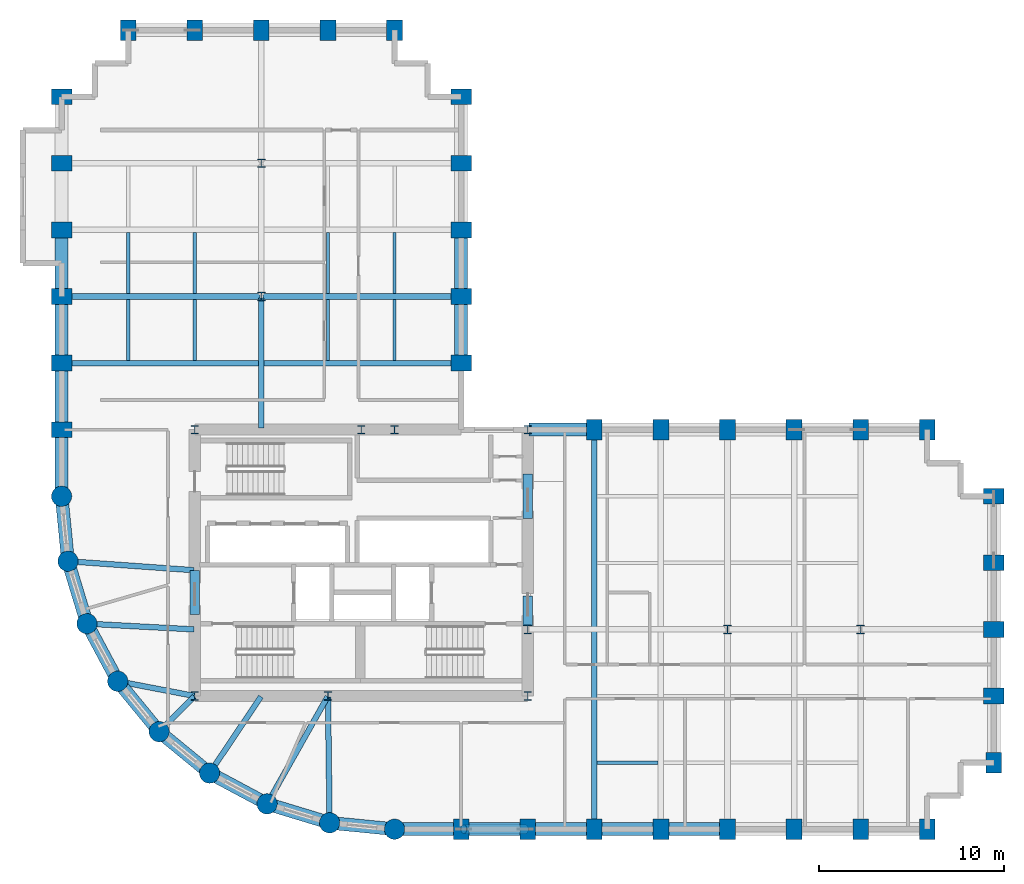
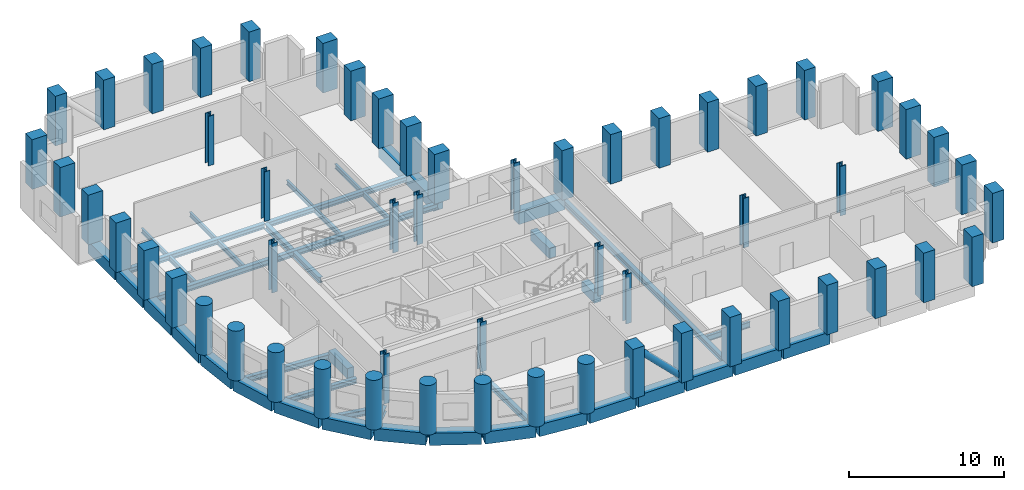
# One storey, part 1 of 7: 56 columns, 44 beams, 1 member.
"""IFC4 building model written with IfcOpenShell, lengths in metres."""

from ifc_helpers import new_model, si_unit, direction, frame, origin, origin_2d, place, context, subcontext, project, spatial, rectangle, circle, hollow_circle, i_section, extrude, material, material_profile, profile_set, type_object, element, save


model = new_model("IFC4")

# Units and contexts
model_context = context("Model", 3, precision=1e-05, world=origin(), true_north=direction((0.0, 1.0)))
body_context = subcontext(model_context, "Body", "Model", "MODEL_VIEW")
ifc_project = project(units=[si_unit("LENGTHUNIT", "METRE"), si_unit("AREAUNIT", "SQUARE_METRE"), si_unit("VOLUMEUNIT", "CUBIC_METRE"), si_unit("PLANEANGLEUNIT", "RADIAN"), si_unit("MASSUNIT", "GRAM", prefix="KILO")], contexts=[model_context])

# Site, building, storey
site_placement = place(None, origin())
site = spatial("IfcSite", under=ifc_project, at=site_placement, CompositionType="ELEMENT")
building_placement = place(site_placement, origin())
building = spatial("IfcBuilding", under=site, at=building_placement, Name="Solnavia Interchange Tower", CompositionType="ELEMENT")
storey_placement = place(building_placement, frame((0.0, 0.0, 91.800048828125)))
storey = spatial("IfcBuildingStorey", under=building, at=storey_placement, Name="L22", CompositionType="ELEMENT", Elevation=91.800048828125)

# Columns
ifc_material_1 = material(Name="Concrete C50/60", Category="concrete")
ifc_material_profile_1 = material_profile(ifc_material_1, rectangle(XDim=0.85009765625, YDim=1.10009765625, at=origin_2d()), Name="RC 1100x850")
ifc_profile_set_1 = profile_set([ifc_material_profile_1], Name="Concrete C50/60")
column_type_1 = type_object("IfcColumnType", Name="Col-RC-1100x850", PredefinedType="COLUMN", material=ifc_profile_set_1)
for number, where, z_axis, x_axis, name in (
    (1, (7.199951171875, 25.199951171875, 0.0), (0.0, 0.0, 1.0), (0.0, 1.0, 0.0), "COL-L22-02 Tower perim y column"),
    (2, (7.199951171875, 28.800048828125, 0.0), (0.0, 0.0, 1.0), (0.0, 1.0, 0.0), "COL-L22-03 Tower perim y column"),
    (3, (7.199951171875, 32.39990234375, 0.0), (0.0, 0.0, 1.0), (0.0, 1.0, 0.0), "COL-L22-04 Tower perim y column"),
    (4, (7.199951171875, 36.0, 0.0), (0.0, 0.0, 1.0), (0.0, 1.0, 0.0), "COL-L22-05 Tower perim y column"),
    (5, (7.199951171875, 39.60009765625, 0.0), (0.0, 0.0, 1.0), (0.0, 1.0, 0.0), "COL-L22-06 Tower perim y column"),
    (6, (7.199951171875, 43.199951171875, 0.0), (0.0, 0.0, 1.0), (0.0, 1.0, 0.0), "COL-L22-07 Tower corner column"),
    (7, (10.800048828125, 46.800048828125, 0.0), (0.0, 0.0, 1.0), (1.0, 0.0, 0.0), "COL-L22-11 Tower corner column"),
    (8, (14.39990234375, 46.800048828125, 0.0), (0.0, 0.0, 1.0), (1.0, 0.0, 0.0), "COL-L22-15 Tower perim x column"),
    (9, (18.0, 46.800048828125, 0.0), (0.0, 0.0, 1.0), (1.0, 0.0, 0.0), "COL-L22-19 Tower perim x column"),
    (10, (21.60009765625, 46.800048828125, 0.0), (0.0, 0.0, 1.0), (1.0, 0.0, 0.0), "COL-L22-22 Tower perim x column"),
    (11, (25.199951171875, 46.800048828125, 0.0), (0.0, 0.0, 1.0), (1.0, 0.0, 0.0), "COL-L22-27 Tower corner column"),
    (12, (28.800048828125, 3.60009765625, 0.0), (0.0, 0.0, 1.0), (1.0, 0.0, 0.0), "COL-L22-28 Tower perim x column"),
    (13, (28.800048828125, 28.800048828125, 0.0), (0.0, 0.0, 1.0), (0.0, 1.0, 0.0), "COL-L22-29 Tower perim y column"),
    (14, (28.800048828125, 32.39990234375, 0.0), (0.0, 0.0, 1.0), (0.0, 1.0, 0.0), "COL-L22-30 Tower perim y column"),
    (15, (28.800048828125, 36.0, 0.0), (0.0, 0.0, 1.0), (0.0, 1.0, 0.0), "COL-L22-31 Tower perim y column"),
    (16, (28.800048828125, 39.60009765625, 0.0), (0.0, 0.0, 1.0), (0.0, 1.0, 0.0), "COL-L22-32 Tower perim y column"),
    (17, (28.800048828125, 43.199951171875, 0.0), (0.0, 0.0, 1.0), (0.0, 1.0, 0.0), "COL-L22-33 Tower corner column"),
    (18, (32.39990234375, 3.60009765625, 0.0), (0.0, 0.0, 1.0), (1.0, 0.0, 0.0), "COL-L22-34 Tower perim x column"),
    (19, (36.0, 3.60009765625, 0.0), (0.0, 0.0, 1.0), (1.0, 0.0, 0.0), "COL-L22-38 Tower perim x column"),
    (20, (36.0, 25.199951171875, 0.0), (0.0, 0.0, 1.0), (1.0, 0.0, 0.0), "COL-L22-39 Tower perim x column"),
    (21, (39.60009765625, 3.60009765625, 0.0), (0.0, 0.0, 1.0), (1.0, 0.0, 0.0), "COL-L22-40 Tower perim x column"),
    (22, (39.60009765625, 25.199951171875, 0.0), (0.0, 0.0, 1.0), (1.0, 0.0, 0.0), "COL-L22-41 Tower perim x column"),
    (23, (43.199951171875, 3.60009765625, 0.0), (0.0, 0.0, 1.0), (1.0, 0.0, 0.0), "COL-L22-42 Tower perim x column"),
    (24, (43.199951171875, 25.199951171875, 0.0), (0.0, 0.0, 1.0), (1.0, 0.0, 0.0), "COL-L22-44 Tower perim x column"),
    (25, (46.800048828125, 3.60009765625, 0.0), (0.0, 0.0, 1.0), (1.0, 0.0, 0.0), "COL-L22-45 Tower perim x column"),
    (26, (46.800048828125, 25.199951171875, 0.0), (0.0, 0.0, 1.0), (1.0, 0.0, 0.0), "COL-L22-46 Tower perim x column"),
    (27, (50.39990234375, 3.60009765625, 0.0), (0.0, 0.0, 1.0), (1.0, 0.0, 0.0), "COL-L22-47 Tower perim x column"),
    (28, (50.39990234375, 25.199951171875, 0.0), (0.0, 0.0, 1.0), (1.0, 0.0, 0.0), "COL-L22-49 Tower perim x column"),
    (29, (54.0, 3.60009765625, 0.0), (0.0, 0.0, 1.0), (1.0, 0.0, 0.0), "COL-L22-50 Tower corner column"),
    (30, (54.0, 25.199951171875, 0.0), (0.0, 0.0, 1.0), (1.0, 0.0, 0.0), "COL-L22-51 Tower corner column"),
    (31, (57.60009765625, 7.199951171875, 0.0), (0.0, 0.0, 1.0), (1.0, 0.0, 0.0), "COL-L22-52 Tower corner column"),
    (32, (57.60009765625, 10.800048828125, 0.0), (0.0, 0.0, 1.0), (0.0, 1.0, 0.0), "COL-L22-53 Tower perim y column"),
    (33, (57.60009765625, 14.39990234375, 0.0), (0.0, 0.0, 1.0), (0.0, 1.0, 0.0), "COL-L22-54 Tower perim y column"),
    (34, (57.60009765625, 18.0, 0.0), (0.0, 0.0, 1.0), (0.0, 1.0, 0.0), "COL-L22-55 Tower perim y column"),
    (35, (57.60009765625, 21.60009765625, 0.0), (0.0, 0.0, 1.0), (0.0, 1.0, 0.0), "COL-L22-56 Tower corner column"),
):
    element("IfcColumn", number, at=place(storey_placement, frame(where, z_axis=z_axis, x_axis=x_axis)), inside=storey, type_object=column_type_1, Name=name, PredefinedType="COLUMN", context=body_context, shape_type="SweptSolid", body=[
        extrude(rectangle(XDim=0.85009765625, YDim=1.10009765625, at=origin_2d()), origin(), (0.0, 0.0, 1.0), 3.89990234375),
    ])
ifc_material_2 = material(Name="Concrete C60/75", Category="concrete")
ifc_material_profile_2 = material_profile(ifc_material_2, circle(Radius=0.550048828125, at=origin_2d()), Name="RC D1100")
ifc_profile_set_2 = profile_set([ifc_material_profile_2], Name="Concrete C60/75")
column_type_2 = type_object("IfcColumnType", Name="Col-RC-D1100", PredefinedType="COLUMN", material=ifc_profile_set_2)
for number, where, z_axis, x_axis, name in (
    (36, (7.199951171875, 21.60009765625, 0.0), (0.0, 0.0, 1.0), (1.0, 0.0, 0.0), "COL-L22-01 Tower drum column"),
    (37, (7.5458984375, 18.087890625, 0.0), (0.0, 0.0, 1.0), (1.0, 0.0, 0.0), "COL-L22-08 Tower drum column"),
    (38, (8.570068359375, 14.7119140625, 0.0), (0.0, 0.0, 1.0), (1.0, 0.0, 0.0), "COL-L22-09 Tower drum column"),
    (39, (10.23388671875, 11.60009765625, 0.0), (0.0, 0.0, 1.0), (1.0, 0.0, 0.0), "COL-L22-10 Tower drum column"),
    (40, (12.471923828125, 8.8720703125, 0.0), (0.0, 0.0, 1.0), (1.0, 0.0, 0.0), "COL-L22-12 Tower drum column"),
    (41, (15.199951171875, 6.634033203125, 0.0), (0.0, 0.0, 1.0), (1.0, 0.0, 0.0), "COL-L22-16 Tower drum column"),
    (42, (18.31201171875, 4.969970703125, 0.0), (0.0, 0.0, 1.0), (1.0, 0.0, 0.0), "COL-L22-20 Tower drum column"),
    (43, (21.68798828125, 3.946044921875, 0.0), (0.0, 0.0, 1.0), (1.0, 0.0, 0.0), "COL-L22-23 Tower drum column"),
    (44, (25.199951171875, 3.60009765625, 0.0), (0.0, 0.0, 1.0), (1.0, 0.0, 0.0), "COL-L22-25 Tower drum column"),
):
    element("IfcColumn", number, at=place(storey_placement, frame(where, z_axis=z_axis, x_axis=x_axis)), inside=storey, type_object=column_type_2, Name=name, PredefinedType="COLUMN", context=body_context, shape_type="SweptSolid", body=[
        extrude(circle(Radius=0.550048828125, at=origin_2d()), origin(), (0.0, 0.0, 1.0), 3.89990234375),
    ])
ifc_material_3 = material(Name="Steel S355", Category="steel")
ifc_material_profile_3 = material_profile(ifc_material_3, i_section(OverallWidth=0.424072265625, OverallDepth=0.467041015625, WebThickness=0.032958984375, FlangeThickness=0.053466796875, FilletRadius=0.014892578125, at=origin_2d()), Name="HD 400x509")
ifc_profile_set_3 = profile_set([ifc_material_profile_3], Name="Steel S355")
column_type_3 = type_object("IfcColumnType", Name="Col-Steel-HD400x509", PredefinedType="COLUMN", material=ifc_profile_set_3)
for number, where, z_axis, x_axis, name in (
    (45, (14.39990234375, 10.800048828125, 0.0), (0.0, 0.0, 1.0), (1.0, 0.0, 0.0), "COL-L22-13 Tower interior column"),
    (46, (14.39990234375, 25.199951171875, 0.0), (0.0, 0.0, 1.0), (1.0, 0.0, 0.0), "COL-L22-14 Tower interior column"),
    (47, (18.0, 32.39990234375, 0.0), (0.0, 0.0, 1.0), (1.0, 0.0, 0.0), "COL-L22-17 Tower interior column"),
    (48, (18.0, 39.60009765625, 0.0), (0.0, 0.0, 1.0), (1.0, 0.0, 0.0), "COL-L22-18 Tower interior column"),
    (49, (21.60009765625, 10.800048828125, 0.0), (0.0, 0.0, 1.0), (1.0, 0.0, 0.0), "COL-L22-21 Tower interior column"),
    (50, (23.39990234375, 25.199951171875, 0.0), (0.0, 0.0, 1.0), (1.0, 0.0, 0.0), "COL-L22-24 Tower interior column"),
    (51, (25.199951171875, 25.199951171875, 0.0), (0.0, 0.0, 1.0), (1.0, 0.0, 0.0), "COL-L22-26 Tower interior column"),
    (52, (32.39990234375, 10.800048828125, 0.0), (0.0, 0.0, 1.0), (1.0, 0.0, 0.0), "COL-L22-35 Tower interior column"),
    (53, (32.39990234375, 14.39990234375, 0.0), (0.0, 0.0, 1.0), (1.0, 0.0, 0.0), "COL-L22-36 Tower interior column"),
    (54, (32.39990234375, 25.199951171875, 0.0), (0.0, 0.0, 1.0), (1.0, 0.0, 0.0), "COL-L22-37 Tower interior column"),
    (55, (43.199951171875, 14.39990234375, 0.0), (0.0, 0.0, 1.0), (1.0, 0.0, 0.0), "COL-L22-43 Tower interior column"),
    (56, (50.39990234375, 14.39990234375, 0.0), (0.0, 0.0, 1.0), (1.0, 0.0, 0.0), "COL-L22-48 Tower interior column"),
):
    element("IfcColumn", number, at=place(storey_placement, frame(where, z_axis=z_axis, x_axis=x_axis)), inside=storey, type_object=column_type_3, Name=name, PredefinedType="COLUMN", context=body_context, shape_type="SweptSolid", body=[
        extrude(i_section(OverallWidth=0.424072265625, OverallDepth=0.467041015625, WebThickness=0.032958984375, FlangeThickness=0.053466796875, FilletRadius=0.014892578125, at=origin_2d()), origin(), (0.0, 0.0, 1.0), 3.89990234375),
    ])

# Beams
ifc_material_profile_4 = material_profile(ifc_material_1, rectangle(XDim=0.5, YDim=0.800048828125, at=origin_2d()), Name="RC 500x800")
ifc_profile_set_4 = profile_set([ifc_material_profile_4], Name="Concrete C50/60")
beam_type_1 = type_object("IfcBeamType", Name="Beam-Coupling-RC500x800", PredefinedType="LINTEL", material=ifc_profile_set_4)
beam_1_placement = place(storey_placement, frame((14.39990234375, 15.199951171875, -0.400146484375), z_axis=(0.0, 1.0, 0.0), x_axis=(-1.0, 0.0, 0.0)))
element("IfcBeam", 57, at=beam_1_placement, inside=storey, type_object=beam_type_1, Name="CPB-L22-W1 Core coupling lintel beam", PredefinedType="LINTEL", context=body_context, shape_type="SweptSolid", body=[
    extrude(rectangle(XDim=0.5, YDim=0.800048828125, at=origin_2d()), origin(), (0.0, 0.0, 1.0), 2.400146484375),
])
beam_2_placement = place(storey_placement, frame((32.39990234375, 14.60009765625, -0.400146484375), z_axis=(0.0, 1.0, 0.0), x_axis=(-1.0, 0.0, 0.0)))
element("IfcBeam", 58, at=beam_2_placement, inside=storey, type_object=beam_type_1, Name="CPB-L22-E1 Core coupling lintel beam", PredefinedType="LINTEL", context=body_context, shape_type="SweptSolid", body=[
    extrude(rectangle(XDim=0.5, YDim=0.800048828125, at=origin_2d()), origin(), (0.0, 0.0, 1.0), 1.599853515625),
])
beam_3_placement = place(storey_placement, frame((32.39990234375, 20.39990234375, -0.400146484375), z_axis=(0.0, 1.0, 0.0), x_axis=(-1.0, 0.0, 0.0)))
element("IfcBeam", 59, at=beam_3_placement, inside=storey, type_object=beam_type_1, Name="CPB-L22-E2 Core coupling lintel beam", PredefinedType="LINTEL", context=body_context, shape_type="SweptSolid", body=[
    extrude(rectangle(XDim=0.5, YDim=0.800048828125, at=origin_2d()), origin(), (0.0, 0.0, 1.0), 2.400146484375),
])
ifc_material_4 = material(Name="Steel S460", Category="steel")
ifc_material_profile_5 = material_profile(ifc_material_4, i_section(OverallWidth=0.300048828125, OverallDepth=0.449951171875, WebThickness=0.013916015625, FlangeThickness=0.02587890625, FilletRadius=0.027099609375, at=origin_2d()), Name="HEB 450")
ifc_profile_set_5 = profile_set([ifc_material_profile_5], Name="Steel S460")
beam_type_2 = type_object("IfcBeamType", Name="Beam-Girder-HEB450", PredefinedType="BEAM", material=ifc_profile_set_5)
beam_4_placement = place(storey_placement, frame((36.0, 3.679931640625, -0.47509765625), z_axis=(0.0, 1.0, 0.0), x_axis=(-1.0, 0.0, 0.0)))
element("IfcBeam", 60, at=beam_4_placement, inside=storey, type_object=beam_type_2, Name="GRD-L22-EW04 East wing primary floor girder", PredefinedType="BEAM", context=body_context, shape_type="SweptSolid", body=[
    extrude(i_section(OverallWidth=0.300048828125, OverallDepth=0.449951171875, WebThickness=0.013916015625, FlangeThickness=0.02587890625, FilletRadius=0.027099609375, at=origin_2d()), origin(), (0.0, 0.0, 1.0), 21.440185546875),
])
beam_5_placement = place(storey_placement, frame((18.0, 25.280029296875, -0.47509765625), z_axis=(0.0, 1.0, 0.0), x_axis=(-1.0, 0.0, 0.0)))
element("IfcBeam", 61, at=beam_5_placement, inside=storey, type_object=beam_type_2, Name="GRD-L22-NS11 North wing spine girder", PredefinedType="BEAM", context=body_context, shape_type="SweptSolid", body=[
    extrude(i_section(OverallWidth=0.300048828125, OverallDepth=0.449951171875, WebThickness=0.013916015625, FlangeThickness=0.02587890625, FilletRadius=0.027099609375, at=origin_2d()), origin(), (0.0, 0.0, 1.0), 7.0400390625),
])
beam_6_placement = place(storey_placement, frame((10.3125, 11.5849609375, -0.47509765625), z_axis=(0.982057527796, -0.188581579428, 0.0), x_axis=(0.188581579428, 0.982057527796, 0.0)))
element("IfcBeam", 62, at=beam_6_placement, inside=storey, type_object=beam_type_2, Name="GRD-L22-DR22 Drum radial floor girder", PredefinedType="BEAM", context=body_context, shape_type="SweptSolid", body=[
    extrude(i_section(OverallWidth=0.300048828125, OverallDepth=0.449951171875, WebThickness=0.013916015625, FlangeThickness=0.02587890625, FilletRadius=0.027099609375, at=origin_2d()), origin(), (0.0, 0.0, 1.0), 4.1220703125),
])
beam_7_placement = place(storey_placement, frame((18.351318359375, 5.039794921875, -0.47509765625), z_axis=(0.491243158486, 0.871022479182, 0.0), x_axis=(-0.871022479182, 0.491243158486, 0.0)))
element("IfcBeam", 63, at=beam_7_placement, inside=storey, type_object=beam_type_2, Name="GRD-L22-DR25 Drum radial floor girder", PredefinedType="BEAM", context=body_context, shape_type="SweptSolid", body=[
    extrude(i_section(OverallWidth=0.300048828125, OverallDepth=0.449951171875, WebThickness=0.013916015625, FlangeThickness=0.02587890625, FilletRadius=0.027099609375, at=origin_2d()), origin(), (0.0, 0.0, 1.0), 6.5732421875),
])
ifc_material_profile_6 = material_profile(ifc_material_3, i_section(OverallWidth=0.169921875, OverallDepth=0.360107421875, WebThickness=0.008056640625, FlangeThickness=0.0126953125, FilletRadius=0.01806640625, at=origin_2d()), Name="IPE 360")
ifc_profile_set_6 = profile_set([ifc_material_profile_6], Name="Steel S355")
beam_type_3 = type_object("IfcBeamType", Name="Beam-Joist-IPE360", PredefinedType="JOIST", material=ifc_profile_set_6)
for number, where, z_axis, x_axis, name in (
    (64, (10.800048828125, 32.550048828125, -0.429931640625), (0.0, 1.0, 0.0), (-1.0, 0.0, 0.0), "JST-L22-N18 North wing secondary joist"),
    (65, (14.39990234375, 32.550048828125, -0.429931640625), (0.0, 1.0, 0.0), (-1.0, 0.0, 0.0), "JST-L22-N21 North wing secondary joist"),
    (66, (21.60009765625, 32.550048828125, -0.429931640625), (0.0, 1.0, 0.0), (-1.0, 0.0, 0.0), "JST-L22-N24 North wing secondary joist"),
    (67, (25.199951171875, 32.550048828125, -0.429931640625), (0.0, 1.0, 0.0), (-1.0, 0.0, 0.0), "JST-L22-N27 North wing secondary joist"),
):
    element("IfcBeam", number, at=place(storey_placement, frame(where, z_axis=z_axis, x_axis=x_axis)), inside=storey, type_object=beam_type_3, Name=name, PredefinedType="JOIST", context=body_context, shape_type="SweptSolid", body=[
        extrude(i_section(OverallWidth=0.169921875, OverallDepth=0.360107421875, WebThickness=0.008056640625, FlangeThickness=0.0126953125, FilletRadius=0.01806640625, at=origin_2d()), origin(), (0.0, 0.0, 1.0), 3.300048828125),
    ])
ifc_material_profile_7 = material_profile(ifc_material_3, i_section(OverallWidth=0.179931640625, OverallDepth=0.39990234375, WebThickness=0.008544921875, FlangeThickness=0.013427734375, FilletRadius=0.02099609375, at=origin_2d()), Name="IPE 400")
ifc_profile_set_7 = profile_set([ifc_material_profile_7], Name="Steel S355")
beam_type_4 = type_object("IfcBeamType", Name="Beam-Joist-IPE400", PredefinedType="JOIST", material=ifc_profile_set_7)
for number, where, z_axis, x_axis, name in (
    (68, (10.800048828125, 28.949951171875, -0.449951171875), (0.0, 1.0, 0.0), (-1.0, 0.0, 0.0), "JST-L22-N17 North wing secondary joist"),
    (69, (14.39990234375, 28.949951171875, -0.449951171875), (0.0, 1.0, 0.0), (-1.0, 0.0, 0.0), "JST-L22-N20 North wing secondary joist"),
    (70, (21.60009765625, 28.949951171875, -0.449951171875), (0.0, 1.0, 0.0), (-1.0, 0.0, 0.0), "JST-L22-N23 North wing secondary joist"),
    (71, (25.199951171875, 28.949951171875, -0.449951171875), (0.0, 1.0, 0.0), (-1.0, 0.0, 0.0), "JST-L22-N26 North wing secondary joist"),
):
    element("IfcBeam", number, at=place(storey_placement, frame(where, z_axis=z_axis, x_axis=x_axis)), inside=storey, type_object=beam_type_4, Name=name, PredefinedType="JOIST", context=body_context, shape_type="SweptSolid", body=[
        extrude(i_section(OverallWidth=0.179931640625, OverallDepth=0.39990234375, WebThickness=0.008544921875, FlangeThickness=0.013427734375, FilletRadius=0.02099609375, at=origin_2d()), origin(), (0.0, 0.0, 1.0), 3.300048828125),
    ])
ifc_material_profile_8 = material_profile(ifc_material_3, i_section(OverallWidth=0.18994140625, OverallDepth=0.449951171875, WebThickness=0.009521484375, FlangeThickness=0.0146484375, FilletRadius=0.02099609375, at=origin_2d()), Name="IPE 450")
ifc_profile_set_8 = profile_set([ifc_material_profile_8], Name="Steel S355")
beam_type_5 = type_object("IfcBeamType", Name="Beam-Joist-IPE450", PredefinedType="JOIST", material=ifc_profile_set_8)
beam_8_placement = place(storey_placement, frame((36.14990234375, 7.199951171875, -0.47509765625), z_axis=(1.0, 0.0, 0.0), x_axis=(0.0, 1.0, 0.0)))
element("IfcBeam", 72, at=beam_8_placement, inside=storey, type_object=beam_type_5, Name="JST-L22-E01 East wing secondary joist", PredefinedType="JOIST", context=body_context, shape_type="SweptSolid", body=[
    extrude(i_section(OverallWidth=0.18994140625, OverallDepth=0.449951171875, WebThickness=0.009521484375, FlangeThickness=0.0146484375, FilletRadius=0.02099609375, at=origin_2d()), origin(), (0.0, 0.0, 1.0), 3.300048828125),
])
ifc_material_profile_9 = material_profile(ifc_material_3, i_section(OverallWidth=0.300048828125, OverallDepth=0.389892578125, WebThickness=0.010986328125, FlangeThickness=0.01904296875, FilletRadius=0.027099609375, at=origin_2d()), Name="HEA 400")
ifc_profile_set_9 = profile_set([ifc_material_profile_9], Name="Steel S355")
beam_type_6 = type_object("IfcBeamType", Name="Beam-Primary-HEA400", PredefinedType="BEAM", material=ifc_profile_set_9)
for number, where, z_axis, x_axis, name in (
    (73, (7.280029296875, 32.39990234375, -0.445068359375), (1.0, 0.0, 0.0), (0.0, 1.0, 0.0), "GRD-L22-NW15 North wing primary floor girder"),
    (74, (18.080078125, 32.39990234375, -0.445068359375), (1.0, 0.0, 0.0), (0.0, 1.0, 0.0), "GRD-L22-NW16 North wing primary floor girder"),
):
    element("IfcBeam", number, at=place(storey_placement, frame(where, z_axis=z_axis, x_axis=x_axis)), inside=storey, type_object=beam_type_6, Name=name, PredefinedType="BEAM", context=body_context, shape_type="SweptSolid", body=[
        extrude(i_section(OverallWidth=0.300048828125, OverallDepth=0.389892578125, WebThickness=0.010986328125, FlangeThickness=0.01904296875, FilletRadius=0.027099609375, at=origin_2d()), origin(), (0.0, 0.0, 1.0), 10.639892578125),
    ])
beam_9_placement = place(storey_placement, frame((8.64990234375, 14.707763671875, -0.445068359375), z_axis=(0.998570371303, -0.053452909696, 0.0), x_axis=(0.053452909696, 0.998570371303, 0.0)))
element("IfcBeam", 75, at=beam_9_placement, inside=storey, type_object=beam_type_6, Name="GRD-L22-DR21 Drum radial floor girder", PredefinedType="BEAM", context=body_context, shape_type="SweptSolid", body=[
    extrude(i_section(OverallWidth=0.300048828125, OverallDepth=0.389892578125, WebThickness=0.010986328125, FlangeThickness=0.01904296875, FilletRadius=0.027099609375, at=origin_2d()), origin(), (0.0, 0.0, 1.0), 5.71826171875),
])
beam_10_placement = place(storey_placement, frame((15.24462890625, 6.700439453125, -0.445068359375), z_axis=(0.557835474219, 0.829951555033, 0.0), x_axis=(-0.829951555033, 0.557835474219, 0.0)))
element("IfcBeam", 76, at=beam_10_placement, inside=storey, type_object=beam_type_6, Name="GRD-L22-DR24 Drum radial floor girder", PredefinedType="BEAM", context=body_context, shape_type="SweptSolid", body=[
    extrude(i_section(OverallWidth=0.300048828125, OverallDepth=0.389892578125, WebThickness=0.010986328125, FlangeThickness=0.01904296875, FilletRadius=0.027099609375, at=origin_2d()), origin(), (0.0, 0.0, 1.0), 4.899658203125),
])
ifc_material_profile_10 = material_profile(ifc_material_3, i_section(OverallWidth=0.300048828125, OverallDepth=0.43994140625, WebThickness=0.011474609375, FlangeThickness=0.02099609375, FilletRadius=0.027099609375, at=origin_2d()), Name="HEA 450")
ifc_profile_set_10 = profile_set([ifc_material_profile_10], Name="Steel S355")
beam_type_7 = type_object("IfcBeamType", Name="Beam-Primary-HEA450", PredefinedType="BEAM", material=ifc_profile_set_10)
beam_11_placement = place(storey_placement, frame((7.280029296875, 28.800048828125, -0.469970703125), z_axis=(1.0, 0.0, 0.0), x_axis=(0.0, 1.0, 0.0)))
element("IfcBeam", 77, at=beam_11_placement, inside=storey, type_object=beam_type_7, Name="GRD-L22-NW14 North wing primary floor girder", PredefinedType="BEAM", context=body_context, shape_type="SweptSolid", body=[
    extrude(i_section(OverallWidth=0.300048828125, OverallDepth=0.43994140625, WebThickness=0.011474609375, FlangeThickness=0.02099609375, FilletRadius=0.027099609375, at=origin_2d()), origin(), (0.0, 0.0, 1.0), 21.43994140625),
])
beam_12_placement = place(storey_placement, frame((7.625732421875, 18.082275390625, -0.469970703125), z_axis=(0.99747482749, -0.071020902015, 0.0), x_axis=(0.071020902015, 0.99747482749, 0.0)))
element("IfcBeam", 78, at=beam_12_placement, inside=storey, type_object=beam_type_7, Name="GRD-L22-DR20 Drum radial floor girder", PredefinedType="BEAM", context=body_context, shape_type="SweptSolid", body=[
    extrude(i_section(OverallWidth=0.300048828125, OverallDepth=0.43994140625, WebThickness=0.011474609375, FlangeThickness=0.02099609375, FilletRadius=0.027099609375, at=origin_2d()), origin(), (0.0, 0.0, 1.0), 6.75146484375),
])
beam_13_placement = place(storey_placement, frame((12.528564453125, 8.9287109375, -0.469970703125), z_axis=(0.707106781187, 0.707106781187, 0.0), x_axis=(-0.707106781187, 0.707106781187, 0.0)))
element("IfcBeam", 79, at=beam_13_placement, inside=storey, type_object=beam_type_7, Name="GRD-L22-DR23 Drum radial floor girder", PredefinedType="BEAM", context=body_context, shape_type="SweptSolid", body=[
    extrude(i_section(OverallWidth=0.300048828125, OverallDepth=0.43994140625, WebThickness=0.011474609375, FlangeThickness=0.02099609375, FilletRadius=0.027099609375, at=origin_2d()), origin(), (0.0, 0.0, 1.0), 2.6064453125),
])
beam_14_placement = place(storey_placement, frame((21.68701171875, 4.02587890625, -0.469970703125), z_axis=(-0.01283293513, 0.999917654498, 0.0), x_axis=(-0.999917654498, -0.01283293513, 0.0)))
element("IfcBeam", 80, at=beam_14_placement, inside=storey, type_object=beam_type_7, Name="GRD-L22-DR26 Drum radial floor girder", PredefinedType="BEAM", context=body_context, shape_type="SweptSolid", body=[
    extrude(i_section(OverallWidth=0.300048828125, OverallDepth=0.43994140625, WebThickness=0.011474609375, FlangeThickness=0.02099609375, FilletRadius=0.027099609375, at=origin_2d()), origin(), (0.0, 0.0, 1.0), 6.734619140625),
])
ifc_material_profile_11 = material_profile(ifc_material_1, rectangle(XDim=0.699951171875, YDim=0.949951171875, at=origin_2d()), Name="RC 700x950")
ifc_profile_set_11 = profile_set([ifc_material_profile_11], Name="Concrete C50/60")
beam_type_8 = type_object("IfcBeamType", Name="Beam-Spandrel-RC700x950", PredefinedType="SPANDREL", material=ifc_profile_set_11)
beam_15_placement = place(storey_placement, frame((7.207763671875, 21.5205078125, -0.47509765625), z_axis=(0.098040038117, -0.995182471171, 0.0), x_axis=(0.995182471171, 0.098040038117, 0.0)))
element("IfcBeam", 81, at=beam_15_placement, inside=storey, type_object=beam_type_8, Name="SPB-L22-01 Framed-tube perimeter spandrel beam", PredefinedType="SPANDREL", context=body_context, shape_type="SweptSolid", body=[
    extrude(rectangle(XDim=0.699951171875, YDim=0.949951171875, at=origin_2d()), origin(), (0.0, 0.0, 1.0), 3.369140625),
])
beam_16_placement = place(storey_placement, frame((7.569091796875, 18.011474609375, -0.47509765625), z_axis=(0.290319223646, -0.956929855518, 0.0), x_axis=(0.956929855518, 0.290319223646, 0.0)))
element("IfcBeam", 82, at=beam_16_placement, inside=storey, type_object=beam_type_8, Name="SPB-L22-02 Framed-tube perimeter spandrel beam", PredefinedType="SPANDREL", context=body_context, shape_type="SweptSolid", body=[
    extrude(rectangle(XDim=0.699951171875, YDim=0.949951171875, at=origin_2d()), origin(), (0.0, 0.0, 1.0), 3.367919921875),
])
beam_17_placement = place(storey_placement, frame((8.607666015625, 14.6416015625, -0.47509765625), z_axis=(0.471509422952, -0.881861023102, 0.0), x_axis=(0.881861023102, 0.471509422952, 0.0)))
element("IfcBeam", 83, at=beam_17_placement, inside=storey, type_object=beam_type_8, Name="SPB-L22-03 Framed-tube perimeter spandrel beam", PredefinedType="SPANDREL", context=body_context, shape_type="SweptSolid", body=[
    extrude(rectangle(XDim=0.699951171875, YDim=0.949951171875, at=origin_2d()), origin(), (0.0, 0.0, 1.0), 3.369140625),
])
for number, where, z_axis, x_axis, name in (
    (84, (10.28466796875, 11.5380859375, -0.47509765625), (0.634298841675, -0.773087950656, 0.0), (0.773087950656, 0.634298841675, 0.0), "SPB-L22-04 Framed-tube perimeter spandrel beam"),
    (85, (12.53369140625, 8.8212890625, -0.47509765625), (0.773152644452, -0.634219984214, 0.0), (0.634219984214, 0.773152644452, 0.0), "SPB-L22-05 Framed-tube perimeter spandrel beam"),
):
    element("IfcBeam", number, at=place(storey_placement, frame(where, z_axis=z_axis, x_axis=x_axis)), inside=storey, type_object=beam_type_8, Name=name, PredefinedType="SPANDREL", context=body_context, shape_type="SweptSolid", body=[
        extrude(rectangle(XDim=0.699951171875, YDim=0.949951171875, at=origin_2d()), origin(), (0.0, 0.0, 1.0), 3.36865234375),
    ])
beam_18_placement = place(storey_placement, frame((15.2705078125, 6.59619140625, -0.47509765625), z_axis=(0.881875044348, -0.47148319817, 0.0), x_axis=(0.47148319817, 0.881875044348, 0.0)))
element("IfcBeam", 86, at=beam_18_placement, inside=storey, type_object=beam_type_8, Name="SPB-L22-06 Framed-tube perimeter spandrel beam", PredefinedType="SPANDREL", context=body_context, shape_type="SweptSolid", body=[
    extrude(rectangle(XDim=0.699951171875, YDim=0.949951171875, at=origin_2d()), origin(), (0.0, 0.0, 1.0), 3.368896484375),
])
beam_19_placement = place(storey_placement, frame((18.388671875, 4.94677734375, -0.47509765625), z_axis=(0.956943884494, -0.290272978297, 0.0), x_axis=(0.290272978297, 0.956943884494, 0.0)))
element("IfcBeam", 87, at=beam_19_placement, inside=storey, type_object=beam_type_8, Name="SPB-L22-07 Framed-tube perimeter spandrel beam", PredefinedType="SPANDREL", context=body_context, shape_type="SweptSolid", body=[
    extrude(rectangle(XDim=0.699951171875, YDim=0.949951171875, at=origin_2d()), origin(), (0.0, 0.0, 1.0), 3.36767578125),
])
beam_20_placement = place(storey_placement, frame((21.767578125, 3.938232421875, -0.47509765625), z_axis=(0.995181774609, -0.098047108501, 0.0), x_axis=(0.098047108501, 0.995181774609, 0.0)))
element("IfcBeam", 88, at=beam_20_placement, inside=storey, type_object=beam_type_8, Name="SPB-L22-08 Framed-tube perimeter spandrel beam", PredefinedType="SPANDREL", context=body_context, shape_type="SweptSolid", body=[
    extrude(rectangle(XDim=0.699951171875, YDim=0.949951171875, at=origin_2d()), origin(), (0.0, 0.0, 1.0), 3.368896484375),
])
beam_21_placement = place(storey_placement, frame((25.280029296875, 3.60009765625, -0.47509765625), z_axis=(1.0, 0.0, 0.0), x_axis=(0.0, 1.0, 0.0)))
element("IfcBeam", 89, at=beam_21_placement, inside=storey, type_object=beam_type_8, Name="SPB-L22-09 Framed-tube perimeter spandrel beam", PredefinedType="SPANDREL", context=body_context, shape_type="SweptSolid", body=[
    extrude(rectangle(XDim=0.699951171875, YDim=0.949951171875, at=origin_2d()), origin(), (0.0, 0.0, 1.0), 3.43994140625),
])
beam_22_placement = place(storey_placement, frame((28.8798828125, 3.60009765625, -0.47509765625), z_axis=(1.0, 0.0, 0.0), x_axis=(0.0, 1.0, 0.0)))
element("IfcBeam", 90, at=beam_22_placement, inside=storey, type_object=beam_type_8, Name="SPB-L22-10 Framed-tube perimeter spandrel beam", PredefinedType="SPANDREL", context=body_context, shape_type="SweptSolid", body=[
    extrude(rectangle(XDim=0.699951171875, YDim=0.949951171875, at=origin_2d()), origin(), (0.0, 0.0, 1.0), 3.440185546875),
])
for number, where, z_axis, x_axis, name in (
    (91, (32.47998046875, 3.60009765625, -0.47509765625), (1.0, 0.0, 0.0), (0.0, 1.0, 0.0), "SPB-L22-11 Framed-tube perimeter spandrel beam"),
    (92, (36.080078125, 3.60009765625, -0.47509765625), (1.0, 0.0, 0.0), (0.0, 1.0, 0.0), "SPB-L22-12 Framed-tube perimeter spandrel beam"),
):
    element("IfcBeam", number, at=place(storey_placement, frame(where, z_axis=z_axis, x_axis=x_axis)), inside=storey, type_object=beam_type_8, Name=name, PredefinedType="SPANDREL", context=body_context, shape_type="SweptSolid", body=[
        extrude(rectangle(XDim=0.699951171875, YDim=0.949951171875, at=origin_2d()), origin(), (0.0, 0.0, 1.0), 3.43994140625),
    ])
beam_23_placement = place(storey_placement, frame((39.679931640625, 3.60009765625, -0.47509765625), z_axis=(1.0, 0.0, 0.0), x_axis=(0.0, 1.0, 0.0)))
element("IfcBeam", 93, at=beam_23_placement, inside=storey, type_object=beam_type_8, Name="SPB-L22-13 Framed-tube perimeter spandrel beam", PredefinedType="SPANDREL", context=body_context, shape_type="SweptSolid", body=[
    extrude(rectangle(XDim=0.699951171875, YDim=0.949951171875, at=origin_2d()), origin(), (0.0, 0.0, 1.0), 3.440185546875),
])
beam_24_placement = place(storey_placement, frame((35.919921875, 25.199951171875, -0.47509765625), z_axis=(-1.0, 0.0, 0.0), x_axis=(0.0, -1.0, 0.0)))
element("IfcBeam", 94, at=beam_24_placement, inside=storey, type_object=beam_type_8, Name="SPB-L22-26 Framed-tube perimeter spandrel beam", PredefinedType="SPANDREL", context=body_context, shape_type="SweptSolid", body=[
    extrude(rectangle(XDim=0.699951171875, YDim=0.949951171875, at=origin_2d()), origin(), (0.0, 0.0, 1.0), 3.43994140625),
])
beam_25_placement = place(storey_placement, frame((28.800048828125, 28.8798828125, -0.47509765625), z_axis=(0.0, 1.0, 0.0), x_axis=(-1.0, 0.0, 0.0)))
element("IfcBeam", 95, at=beam_25_placement, inside=storey, type_object=beam_type_8, Name="SPB-L22-27 Framed-tube perimeter spandrel beam", PredefinedType="SPANDREL", context=body_context, shape_type="SweptSolid", body=[
    extrude(rectangle(XDim=0.699951171875, YDim=0.949951171875, at=origin_2d()), origin(), (0.0, 0.0, 1.0), 3.440185546875),
])
for number, where, z_axis, x_axis, name in (
    (96, (28.800048828125, 32.47998046875, -0.47509765625), (0.0, 1.0, 0.0), (-1.0, 0.0, 0.0), "SPB-L22-28 Framed-tube perimeter spandrel beam"),
    (97, (7.199951171875, 35.919921875, -0.47509765625), (0.0, -1.0, 0.0), (1.0, 0.0, 0.0), "SPB-L22-37 Framed-tube perimeter spandrel beam"),
):
    element("IfcBeam", number, at=place(storey_placement, frame(where, z_axis=z_axis, x_axis=x_axis)), inside=storey, type_object=beam_type_8, Name=name, PredefinedType="SPANDREL", context=body_context, shape_type="SweptSolid", body=[
        extrude(rectangle(XDim=0.699951171875, YDim=0.949951171875, at=origin_2d()), origin(), (0.0, 0.0, 1.0), 3.43994140625),
    ])
beam_26_placement = place(storey_placement, frame((7.199951171875, 32.320068359375, -0.47509765625), z_axis=(0.0, -1.0, 0.0), x_axis=(1.0, 0.0, 0.0)))
element("IfcBeam", 98, at=beam_26_placement, inside=storey, type_object=beam_type_8, Name="SPB-L22-38 Framed-tube perimeter spandrel beam", PredefinedType="SPANDREL", context=body_context, shape_type="SweptSolid", body=[
    extrude(rectangle(XDim=0.699951171875, YDim=0.949951171875, at=origin_2d()), origin(), (0.0, 0.0, 1.0), 3.440185546875),
])
beam_27_placement = place(storey_placement, frame((7.199951171875, 28.719970703125, -0.47509765625), z_axis=(0.0, -1.0, 0.0), x_axis=(1.0, 0.0, 0.0)))
element("IfcBeam", 99, at=beam_27_placement, inside=storey, type_object=beam_type_8, Name="SPB-L22-39 Framed-tube perimeter spandrel beam", PredefinedType="SPANDREL", context=body_context, shape_type="SweptSolid", body=[
    extrude(rectangle(XDim=0.699951171875, YDim=0.949951171875, at=origin_2d()), origin(), (0.0, 0.0, 1.0), 3.43994140625),
])
beam_28_placement = place(storey_placement, frame((7.199951171875, 25.1201171875, -0.47509765625), z_axis=(0.0, -1.0, 0.0), x_axis=(1.0, 0.0, 0.0)))
element("IfcBeam", 100, at=beam_28_placement, inside=storey, type_object=beam_type_8, Name="SPB-L22-40 Framed-tube perimeter spandrel beam", PredefinedType="SPANDREL", context=body_context, shape_type="SweptSolid", body=[
    extrude(rectangle(XDim=0.699951171875, YDim=0.949951171875, at=origin_2d()), origin(), (0.0, 0.0, 1.0), 3.440185546875),
])

# Member
ifc_material_profile_12 = material_profile(ifc_material_4, hollow_circle(Radius=0.25390625, WallThickness=0.02490234375, at=origin_2d()), Name="CHS 508x25")
ifc_profile_set_12 = profile_set([ifc_material_profile_12], Name="Steel S460")
member_type = type_object("IfcMemberType", Name="Brace-Perim-CHS508", PredefinedType="BRACE", material=ifc_profile_set_12)
member_placement = place(storey_placement, frame((32.260009765625, 3.60009765625, 0.179931640625), z_axis=(-0.710311792477, 0.0, 0.703887176661), x_axis=(0.0, -1.0, 0.0)))
element("IfcMember", 101, at=member_placement, inside=storey, type_object=member_type, Name="BRC-L22-01 Perimeter tube diagonal brace", PredefinedType="BRACE", context=body_context, shape_type="SweptSolid", body=[
    extrude(hollow_circle(Radius=0.25390625, WallThickness=0.02490234375, at=origin_2d()), origin(), (0.0, 0.0, 1.0), 4.674072265625),
])

save(model, "model.ifc")
